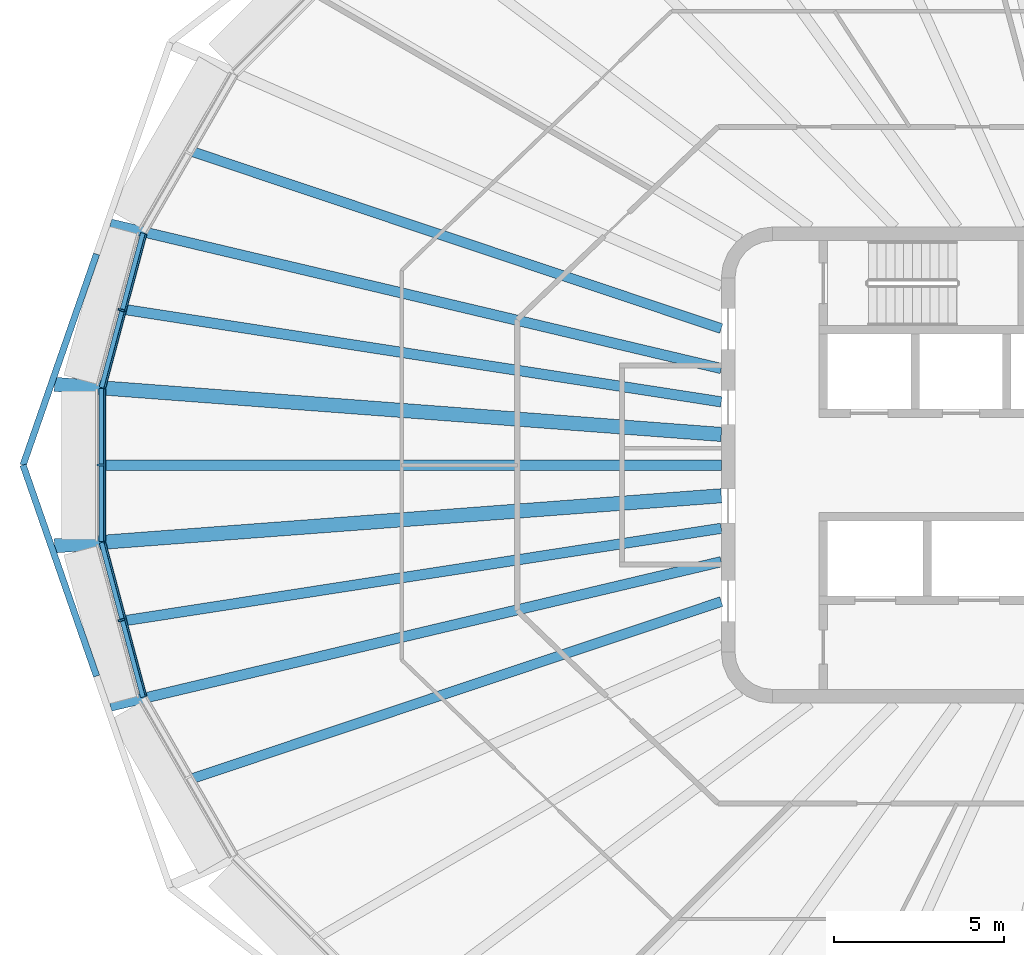
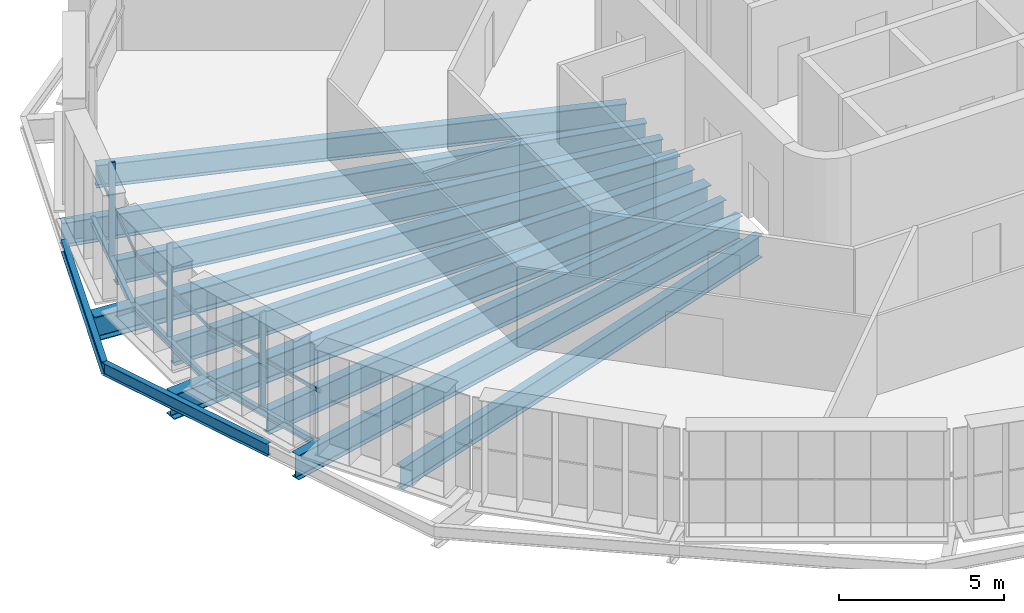
# One storey, part 3 of 20: 14 beams, 6 members, 3 elements without a shape of their own.
"""IFC4 building model written with IfcOpenShell, lengths in metres."""

from ifc_helpers import new_model, si_unit, direction, frame, origin, origin_2d, place, context, subcontext, project, spatial, rectangle, i_section, extrude, material, layer, layer_set, material_profile, profile_set, type_object, element, aggregate, save


model = new_model("IFC4")

# Units and contexts
model_context = context("Model", 3, precision=1e-05, world=origin(), true_north=direction((0.0, 1.0)))
body_context = subcontext(model_context, "Body", "Model", "MODEL_VIEW")
ifc_project = project(units=[si_unit("LENGTHUNIT", "METRE"), si_unit("AREAUNIT", "SQUARE_METRE"), si_unit("VOLUMEUNIT", "CUBIC_METRE"), si_unit("PLANEANGLEUNIT", "RADIAN"), si_unit("MASSUNIT", "GRAM", prefix="KILO")], contexts=[model_context])

# Site, building, storey
site_placement = place(None, origin())
site = spatial("IfcSite", under=ifc_project, at=site_placement, CompositionType="ELEMENT")
building_placement = place(site_placement, origin())
building = spatial("IfcBuilding", under=site, at=building_placement, Name="Sahrelin Media Tower", CompositionType="ELEMENT")
storey_placement = place(building_placement, frame((0.0, 0.0, 255.0)))
storey = spatial("IfcBuildingStorey", under=building, at=storey_placement, Name="L55", CompositionType="ELEMENT", Elevation=255.0)

# Beams
ifc_material_1 = material(Name="Steel S355", Category="steel")
ifc_material_profile_1 = material_profile(ifc_material_1, i_section(OverallWidth=0.14599609375, OverallDepth=0.25146484375, WebThickness=0.006103515625, FlangeThickness=0.008544921875, FilletRadius=0.007568359375, at=origin_2d()), Name="UB 254x146x31")
ifc_profile_set_1 = profile_set([ifc_material_profile_1], Name="Steel S355")
beam_type_1 = type_object("IfcBeamType", Name="Edge beam EB1", PredefinedType="BEAM", material=ifc_profile_set_1)
beam_1_placement = place(storey_placement, frame((-29.00537109375, -6.822265625, -0.275634765625), z_axis=(-0.258812162656, 0.965927670409, 0.0), x_axis=(-0.965927670409, -0.258812162656, 0.0)))
element("IfcBeam", 1, at=beam_1_placement, inside=storey, type_object=beam_type_1, Name="Edge beam L55-12", PredefinedType="BEAM", context=body_context, shape_type="SweptSolid", body=[
    extrude(i_section(OverallWidth=0.14599609375, OverallDepth=0.25146484375, WebThickness=0.006103515625, FlangeThickness=0.008544921875, FilletRadius=0.007568359375, at=origin_2d()), origin(), (0.0, 0.0, 1.0), 4.705322265625),
])
beam_2_placement = place(storey_placement, frame((-30.226806640625, -2.248779296875, -0.275634765625), z_axis=(0.0, 1.0, 0.0), x_axis=(-1.0, 0.0, 0.0)))
element("IfcBeam", 2, at=beam_2_placement, inside=storey, type_object=beam_type_1, Name="Edge beam L55-13", PredefinedType="BEAM", context=body_context, shape_type="SweptSolid", body=[
    extrude(i_section(OverallWidth=0.14599609375, OverallDepth=0.25146484375, WebThickness=0.006103515625, FlangeThickness=0.008544921875, FilletRadius=0.007568359375, at=origin_2d()), origin(), (0.0, 0.0, 1.0), 4.49755859375),
])
beam_3_placement = place(storey_placement, frame((-30.22314453125, 2.27734375, -0.275634765625), z_axis=(0.258812162656, 0.965927670409, 0.0), x_axis=(-0.965927670409, 0.258812162656, 0.0)))
element("IfcBeam", 3, at=beam_3_placement, inside=storey, type_object=beam_type_1, Name="Edge beam L55-14", PredefinedType="BEAM", context=body_context, shape_type="SweptSolid", body=[
    extrude(i_section(OverallWidth=0.14599609375, OverallDepth=0.25146484375, WebThickness=0.006103515625, FlangeThickness=0.008544921875, FilletRadius=0.007568359375, at=origin_2d()), origin(), (0.0, 0.0, 1.0), 4.705322265625),
])

# Curtain wall, member
ifc_material_2 = material(Name="Champagne anodised aluminium 6063-T6", Category="aluminium")
ifc_layer = layer(ifc_material_2, 0.14990234375)
ifc_layer_set = layer_set([ifc_layer], Name="Tower ribbon curtain wall")
curtain_wall_type = type_object("IfcCurtainWallType", Name="Tower ribbon curtain wall", PredefinedType="NOTDEFINED", material=ifc_layer_set)
curtain_wall_1_placement = place(storey_placement, frame((-29.759033203125, 4.588623046875, 0.0), z_axis=(0.0, 0.0, 1.0), x_axis=(1.0, 0.0, 0.0)))
curtain_wall_1 = element("IfcCurtainWall", 4, at=curtain_wall_1_placement, inside=storey, type_object=curtain_wall_type, Name="L55:CW:L55-11", PredefinedType="NOTDEFINED")
ifc_material_profile_2 = material_profile(ifc_material_2, rectangle(XDim=0.06005859375, YDim=0.199951171875, at=origin_2d()), Name="Mullion 60x200")
ifc_profile_set_2 = profile_set([ifc_material_profile_2], Name="Champagne anodised aluminium 6063-T6")
member_type_1 = type_object("IfcMemberType", Name="Mullion 60x200 CW1C", PredefinedType="MULLION", material=ifc_profile_set_2)
member_1_placement = place(storey_placement, frame((-29.643310546875, 4.5576171875, 0.0), z_axis=(0.0, 0.0, 1.0), x_axis=(-0.258835903649, -0.965921308897, 0.0)))
member_1 = element("IfcMember", 5, at=member_1_placement, type_object=member_type_1, Name="L55:CWM:L55-11", PredefinedType="MULLION", context=body_context, shape_type="SweptSolid", body=[
    extrude(rectangle(XDim=0.06005859375, YDim=0.199951171875, at=origin_2d()), origin(), (0.0, 0.0, 1.0), 3.448486328125),
])

curtain_wall_2_placement = place(storey_placement, frame((-30.376953125, 0.0, 0.0), z_axis=(0.0, 0.0, 1.0), x_axis=(1.0, 0.0, 0.0)))
curtain_wall_2 = element("IfcCurtainWall", 6, at=curtain_wall_2_placement, inside=storey, type_object=curtain_wall_type, Name="L55:CW:L55-12", PredefinedType="NOTDEFINED")
member_2_placement = place(storey_placement, frame((-30.2568359375, 0.0, 0.0), z_axis=(0.0, 0.0, 1.0), x_axis=(0.0, -1.0, 0.0)))
member_2 = element("IfcMember", 7, at=member_2_placement, type_object=member_type_1, Name="L55:CWM:L55-12", PredefinedType="MULLION", context=body_context, shape_type="SweptSolid", body=[
    extrude(rectangle(XDim=0.06005859375, YDim=0.199951171875, at=origin_2d()), origin(), (0.0, 0.0, 1.0), 3.448486328125),
])

curtain_wall_3_placement = place(storey_placement, frame((-29.759033203125, -4.588623046875, 0.0), z_axis=(0.0, 0.0, 1.0), x_axis=(1.0, 0.0, 0.0)))
curtain_wall_3 = element("IfcCurtainWall", 8, at=curtain_wall_3_placement, inside=storey, type_object=curtain_wall_type, Name="L55:CW:L55-13", PredefinedType="NOTDEFINED")
member_3_placement = place(storey_placement, frame((-29.643310546875, -4.5576171875, 0.0), z_axis=(0.0, 0.0, 1.0), x_axis=(0.258835903649, -0.965921308897, 0.0)))
member_3 = element("IfcMember", 9, at=member_3_placement, type_object=member_type_1, Name="L55:CWM:L55-13", PredefinedType="MULLION", context=body_context, shape_type="SweptSolid", body=[
    extrude(rectangle(XDim=0.06005859375, YDim=0.199951171875, at=origin_2d()), origin(), (0.0, 0.0, 1.0), 3.448486328125),
])

# Beams
ifc_material_profile_3 = material_profile(ifc_material_1, i_section(OverallWidth=0.30322265625, OverallDepth=0.903076171875, WebThickness=0.01513671875, FlangeThickness=0.020263671875, FilletRadius=0.01904296875, at=origin_2d()), Name="UB 914x305x201")
ifc_profile_set_3 = profile_set([ifc_material_profile_3], Name="Steel S355")
beam_type_2 = type_object("IfcBeamType", Name="Radial primary beam PB11", PredefinedType="BEAM", material=ifc_profile_set_3)
for number, where, z_axis, x_axis, name in (
    (10, (-12.0, 2.8388671875, -0.6015625), (-0.973138948349, 0.230218563993, 0.0), (-0.230218563993, -0.973138948349, 0.0), "Radial beam L55-11"),
    (11, (-12.0, -2.8388671875, -0.6015625), (-0.973138948349, -0.230218563993, 0.0), (0.230218563993, -0.973138948349, 0.0), "Radial beam L55-14"),
):
    element("IfcBeam", number, at=place(storey_placement, frame(where, z_axis=z_axis, x_axis=x_axis)), inside=storey, type_object=beam_type_2, Name=name, PredefinedType="BEAM", context=body_context, shape_type="SweptSolid", body=[
        extrude(i_section(OverallWidth=0.30322265625, OverallDepth=0.903076171875, WebThickness=0.01513671875, FlangeThickness=0.020263671875, FilletRadius=0.01904296875, at=origin_2d()), origin(), (0.0, 0.0, 1.0), 18.460693359375),
    ])
ifc_material_profile_4 = material_profile(ifc_material_1, i_section(OverallWidth=0.41845703125, OverallDepth=0.911865234375, WebThickness=0.019287109375, FlangeThickness=0.031982421875, FilletRadius=0.024169921875, at=origin_2d()), Name="UB 914x419x343")
ifc_profile_set_4 = profile_set([ifc_material_profile_4], Name="Steel S355")
beam_type_3 = type_object("IfcBeamType", Name="Radial primary beam PB12", PredefinedType="BEAM", material=ifc_profile_set_4)
for number, where, z_axis, x_axis, name in (
    (12, (-12.0, 0.90185546875, -0.60595703125), (-0.997187211375, 0.07495108719, 0.0), (-0.07495108719, -0.997187211375, 0.0), "Radial beam L55-12"),
    (13, (-12.0, -0.90185546875, -0.60595703125), (-0.997187211375, -0.07495108719, 0.0), (0.07495108719, -0.997187211375, 0.0), "Radial beam L55-13"),
):
    element("IfcBeam", number, at=place(storey_placement, frame(where, z_axis=z_axis, x_axis=x_axis)), inside=storey, type_object=beam_type_3, Name=name, PredefinedType="BEAM", context=body_context, shape_type="SweptSolid", body=[
        extrude(i_section(OverallWidth=0.41845703125, OverallDepth=0.911865234375, WebThickness=0.019287109375, FlangeThickness=0.031982421875, FilletRadius=0.024169921875, at=origin_2d()), origin(), (0.0, 0.0, 1.0), 19.661376953125),
    ])
ifc_material_profile_5 = material_profile(ifc_material_1, i_section(OverallWidth=0.291748046875, OverallDepth=0.8349609375, WebThickness=0.013916015625, FlangeThickness=0.018798828125, FilletRadius=0.017822265625, at=origin_2d()), Name="UB 838x292x176")
ifc_profile_set_5 = profile_set([ifc_material_profile_5], Name="Steel S355")
beam_type_4 = type_object("IfcBeamType", Name="Radial secondary beam SB10", PredefinedType="BEAM", material=ifc_profile_set_5)
for number, where, z_axis, x_axis, name in (
    (14, (-12.0, 4.014404296875, -0.5673828125), (-0.948335470531, 0.317269341935, 0.0), (-0.317269341935, -0.948335470531, 0.0), "Secondary beam L55-10"),
    (15, (-12.0, -4.014404296875, -0.5673828125), (-0.948335470531, -0.317269341935, 0.0), (0.317269341935, -0.948335470531, 0.0), "Secondary beam L55-14"),
):
    element("IfcBeam", number, at=place(storey_placement, frame(where, z_axis=z_axis, x_axis=x_axis)), inside=storey, type_object=beam_type_4, Name=name, PredefinedType="BEAM", context=body_context, shape_type="SweptSolid", body=[
        extrude(i_section(OverallWidth=0.291748046875, OverallDepth=0.8349609375, WebThickness=0.013916015625, FlangeThickness=0.018798828125, FilletRadius=0.017822265625, at=origin_2d()), origin(), (0.0, 0.0, 1.0), 16.38134765625),
    ])
ifc_material_profile_6 = material_profile(ifc_material_1, i_section(OverallWidth=0.30322265625, OverallDepth=0.903076171875, WebThickness=0.01513671875, FlangeThickness=0.020263671875, FilletRadius=0.01904296875, at=origin_2d()), Name="UB 914x305x201")
ifc_profile_set_6 = profile_set([ifc_material_profile_6], Name="Steel S355")
beam_type_5 = type_object("IfcBeamType", Name="Radial secondary beam SB11", PredefinedType="BEAM", material=ifc_profile_set_6)
beam_4_placement = place(storey_placement, frame((-12.0, 1.858642578125, -0.6015625), z_axis=(-0.988217831214, 0.153053971101, 0.0), x_axis=(-0.153053971101, -0.988217831214, 0.0)))
element("IfcBeam", 16, at=beam_4_placement, inside=storey, type_object=beam_type_5, Name="Secondary beam L55-11", PredefinedType="BEAM", context=body_context, shape_type="SweptSolid", body=[
    extrude(i_section(OverallWidth=0.30322265625, OverallDepth=0.903076171875, WebThickness=0.01513671875, FlangeThickness=0.020263671875, FilletRadius=0.01904296875, at=origin_2d()), origin(), (0.0, 0.0, 1.0), 17.740966796875),
])
beam_5_placement = place(storey_placement, frame((-12.0, 0.0, -0.6015625), z_axis=(-1.0, 0.0, 0.0), x_axis=(0.0, -1.0, 0.0)))
element("IfcBeam", 17, at=beam_5_placement, inside=storey, type_object=beam_type_5, Name="Secondary beam L55-12", PredefinedType="BEAM", context=body_context, shape_type="SweptSolid", body=[
    extrude(i_section(OverallWidth=0.30322265625, OverallDepth=0.903076171875, WebThickness=0.01513671875, FlangeThickness=0.020263671875, FilletRadius=0.01904296875, at=origin_2d()), origin(), (0.0, 0.0, 1.0), 18.15380859375),
])
beam_6_placement = place(storey_placement, frame((-12.0, -1.858642578125, -0.6015625), z_axis=(-0.988217831214, -0.153053971101, 0.0), x_axis=(0.153053971101, -0.988217831214, 0.0)))
element("IfcBeam", 18, at=beam_6_placement, inside=storey, type_object=beam_type_5, Name="Secondary beam L55-13", PredefinedType="BEAM", context=body_context, shape_type="SweptSolid", body=[
    extrude(i_section(OverallWidth=0.30322265625, OverallDepth=0.903076171875, WebThickness=0.01513671875, FlangeThickness=0.020263671875, FilletRadius=0.01904296875, at=origin_2d()), origin(), (0.0, 0.0, 1.0), 17.740966796875),
])
ifc_material_profile_7 = material_profile(ifc_material_1, i_section(OverallWidth=0.1904296875, OverallDepth=0.45703125, WebThickness=0.009033203125, FlangeThickness=0.014404296875, FilletRadius=0.01025390625, at=origin_2d()), Name="UB 457x191x74")
ifc_profile_set_7 = profile_set([ifc_material_profile_7], Name="Steel S355")
beam_type_6 = type_object("IfcBeamType", Name="Tie chord TC5", PredefinedType="BEAM", material=ifc_profile_set_7)
for number, where, z_axis, x_axis, name in (
    (19, (-30.373291015625, -6.205322265625, -0.37841796875), (-0.328829007, 0.94438947694, 0.0), (-0.94438947694, -0.328829007, 0.0), "Tie chord L55-12"),
    (20, (-32.533935546875, 0.0, -0.37841796875), (0.328829007, 0.94438947694, 0.0), (-0.94438947694, 0.328829007, 0.0), "Tie chord L55-13"),
):
    element("IfcBeam", number, at=place(storey_placement, frame(where, z_axis=z_axis, x_axis=x_axis)), inside=storey, type_object=beam_type_6, Name=name, PredefinedType="BEAM", context=body_context, shape_type="SweptSolid", body=[
        extrude(i_section(OverallWidth=0.1904296875, OverallDepth=0.45703125, WebThickness=0.009033203125, FlangeThickness=0.014404296875, FilletRadius=0.01025390625, at=origin_2d()), origin(), (0.0, 0.0, 1.0), 6.57080078125),
    ])

# Member
ifc_material_profile_8 = material_profile(ifc_material_2, rectangle(XDim=0.050048828125, YDim=0.1201171875, at=origin_2d()), Name="Transom 50x120")
ifc_profile_set_8 = profile_set([ifc_material_profile_8], Name="Champagne anodised aluminium 6063-T6")
member_type_2 = type_object("IfcMemberType", Name="Transom 50x120 CW1C", PredefinedType="USERDEFINED", material=ifc_profile_set_8)
member_4_placement = place(storey_placement, frame((-28.91748046875, 6.782470703125, 1.60009765625), z_axis=(-0.258836175674, -0.965921236003, 0.0), x_axis=(0.965921236003, -0.258836175674, 0.0)))
member_4 = element("IfcMember", 21, at=member_4_placement, type_object=member_type_2, Name="L55:CWT:L55-11", ObjectType="TRANSOM", PredefinedType="USERDEFINED", context=body_context, shape_type="SweptSolid", body=[
    extrude(rectangle(XDim=0.050048828125, YDim=0.1201171875, at=origin_2d()), origin(), (0.0, 0.0, 1.0), 4.673583984375),
])

aggregate(curtain_wall_1, [member_1, member_4])

member_5_placement = place(storey_placement, frame((-30.1318359375, 2.233154296875, 1.60009765625), z_axis=(0.0, -1.0, 0.0), x_axis=(1.0, 0.0, 0.0)))
member_5 = element("IfcMember", 22, at=member_5_placement, type_object=member_type_2, Name="L55:CWT:L55-12", ObjectType="TRANSOM", PredefinedType="USERDEFINED", context=body_context, shape_type="SweptSolid", body=[
    extrude(rectangle(XDim=0.050048828125, YDim=0.1201171875, at=origin_2d()), origin(), (0.0, 0.0, 1.0), 4.46630859375),
])

aggregate(curtain_wall_2, [member_2, member_5])

member_6_placement = place(storey_placement, frame((-30.127197265625, -2.26806640625, 1.60009765625), z_axis=(0.258836175674, -0.965921236003, 0.0), x_axis=(0.965921236003, 0.258836175674, 0.0)))
member_6 = element("IfcMember", 23, at=member_6_placement, type_object=member_type_2, Name="L55:CWT:L55-13", ObjectType="TRANSOM", PredefinedType="USERDEFINED", context=body_context, shape_type="SweptSolid", body=[
    extrude(rectangle(XDim=0.050048828125, YDim=0.1201171875, at=origin_2d()), origin(), (0.0, 0.0, 1.0), 4.673583984375),
])

aggregate(curtain_wall_3, [member_3, member_6])

save(model, "model.ifc")
